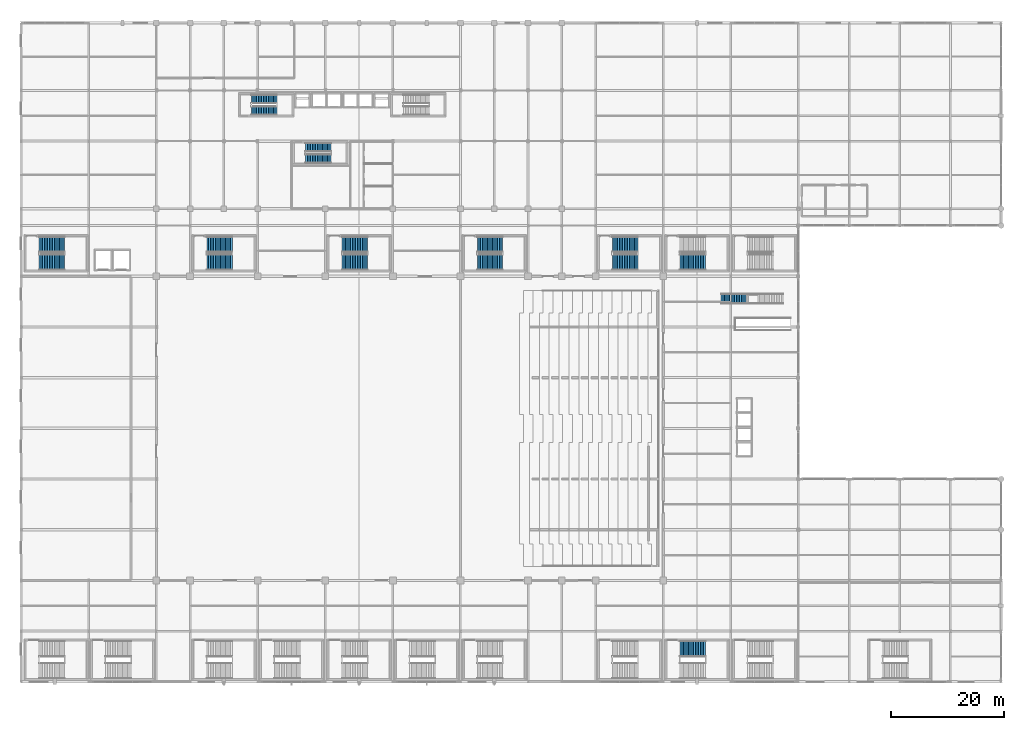
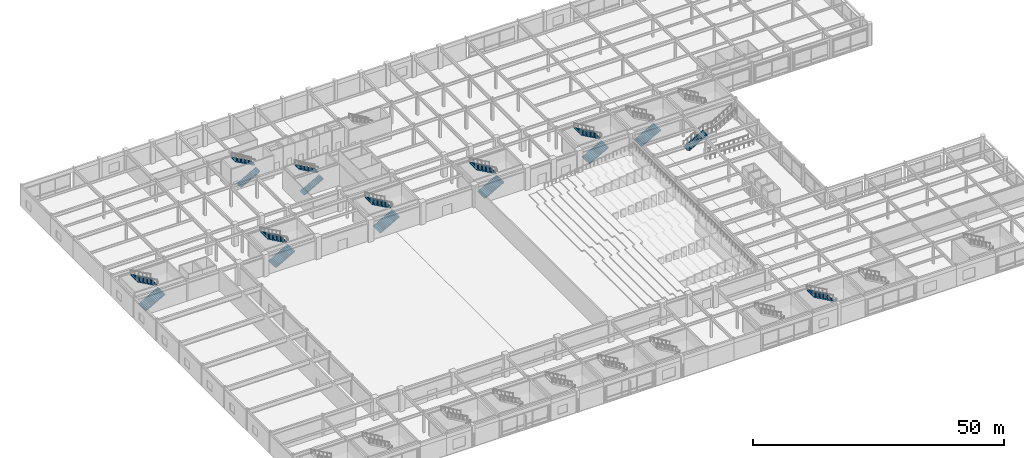
# One storey, part 90 of 100: 17 stair flights, 10 elements without a shape of their own.
"""IFC4 building model written with IfcOpenShell, lengths in metres."""

from ifc_helpers import new_model, si_unit, direction, frame, origin, place, context, subcontext, project, spatial, polyline, outline, extrude, material, type_object, element, aggregate, save


model = new_model("IFC4")

# Units and contexts
model_context = context("Model", 3, precision=1e-05, world=origin(), true_north=direction((0.0, 1.0)))
body_context = subcontext(model_context, "Body", "Model", "MODEL_VIEW")
ifc_project = project(units=[si_unit("LENGTHUNIT", "METRE"), si_unit("AREAUNIT", "SQUARE_METRE"), si_unit("VOLUMEUNIT", "CUBIC_METRE"), si_unit("PLANEANGLEUNIT", "RADIAN"), si_unit("MASSUNIT", "GRAM", prefix="KILO")], contexts=[model_context])

# Site, building, storey
site_placement = place(None, origin())
site = spatial("IfcSite", under=ifc_project, at=site_placement, CompositionType="ELEMENT")
building_placement = place(site_placement, origin())
building = spatial("IfcBuilding", under=site, at=building_placement, Name="Kaldorvane Square Convention Centre", CompositionType="ELEMENT")
storey_placement = place(building_placement, frame((0.0, 0.0, 18.0)))
storey = spatial("IfcBuildingStorey", under=building, at=storey_placement, Name="L03", CompositionType="ELEMENT", Elevation=18.0)

# Stair, stair flight
ifc_material_1 = material(Name="Steel ASTM A500 Gr. C", Category="steel")
stair_type_1 = type_object("IfcStairType", Name="ST-STR-1800-5400", PredefinedType="STRAIGHT_RUN_STAIR", material=ifc_material_1)
stair_1_placement = place(storey_placement, origin())
stair_1 = element("IfcStair", 1, at=stair_1_placement, inside=storey, type_object=stair_type_1, Name="East Foyer Grand Stair F4 (L03)", PredefinedType="STRAIGHT_RUN_STAIR")
stair_flight_type_1 = type_object("IfcStairFlightType", Name="SF-FEAT-1800-16R", PredefinedType="STRAIGHT", material=ifc_material_1)
stair_flight_1_placement = place(storey_placement, frame((124.27999877929688, 68.0, 0.0), z_axis=(0.0, 0.0, 1.0), x_axis=(1.0, 0.0, 0.0)))
stair_flight_1 = element("IfcStairFlight", 2, at=stair_flight_1_placement, type_object=stair_flight_type_1, Name="East Foyer Grand Stair F4 Lower Flight (L03)", NumberOfRisers=16, NumberOfTreads=15, PredefinedType="STRAIGHT", RiserHeight=0.16875, TreadLength=0.3, context=body_context, shape_type="SweptSolid", body=[
    extrude(outline(polyline([(0.0, 0.0), (0.0, 0.1687469482421875), (0.3000030517578125, 0.1687469482421875), (0.3000030517578125, 0.337493896484375), (0.600006103515625, 0.337493896484375), (0.600006103515625, 0.506256103515625), (0.899993896484375, 0.506256103515625), (0.899993896484375, 0.6750030517578125), (1.1999969482421875, 0.6750030517578125), (1.1999969482421875, 0.84375), (1.5, 0.84375), (1.5, 1.0124969482421875), (1.8000030517578125, 1.0124969482421875), (1.8000030517578125, 1.181243896484375), (2.100006103515625, 1.181243896484375), (2.100006103515625, 1.350006103515625), (2.399993896484375, 1.350006103515625), (2.399993896484375, 1.5187530517578125), (2.6999969482421875, 1.5187530517578125), (2.6999969482421875, 1.6875), (3.0, 1.6875), (3.0, 1.8562469482421875), (3.3000030517578125, 1.8562469482421875), (3.3000030517578125, 2.024993896484375), (3.600006103515625, 2.024993896484375), (3.600006103515625, 2.193756103515625), (3.899993896484375, 2.193756103515625), (3.899993896484375, 2.3625030517578125), (4.1999969482421875, 2.3625030517578125), (4.1999969482421875, 2.53125), (4.5, 2.53125), (4.5, 2.6999969482421875), (4.5, 2.301788330078125), (0.4079437255859375, 0.0), (0.0, 0.0)])), frame((0.0, 0.899993896484375, 0.0), z_axis=(0.0, -1.0, 0.0), x_axis=(1.0, 0.0, 0.0)), (0.0, 0.0, 1.0), 1.8000030517578125),
])
aggregate(stair_1, [stair_flight_1])

# Stair, stair flights
ifc_material_2 = material(Name="Concrete f'c = 42 MPa (Normalweight)", Category="concrete")
stair_type_2 = type_object("IfcStairType", Name="ST-DL-1600-5400", PredefinedType="HALF_TURN_STAIR", material=ifc_material_2)
stair_2_placement = place(storey_placement, origin())
stair_2 = element("IfcStair", 3, at=stair_2_placement, inside=storey, type_object=stair_type_2, Name="Tower Exit Stair T1 (L03)", PredefinedType="HALF_TURN_STAIR")
stair_flight_type_2 = type_object("IfcStairFlightType", Name="SF-STR-1600-16R", PredefinedType="STRAIGHT", material=ifc_material_2)
stair_flight_2_placement = place(storey_placement, frame((40.899993896484375, 101.41000366210938, 0.0), z_axis=(0.0, 0.0, 1.0), x_axis=(1.0, 0.0, 0.0)))
stair_flight_2 = element("IfcStairFlight", 4, at=stair_flight_2_placement, type_object=stair_flight_type_2, Name="Tower Exit Stair T1 Flight 1 (L03)", NumberOfRisers=16, NumberOfTreads=15, PredefinedType="STRAIGHT", RiserHeight=0.16875, TreadLength=0.3, context=body_context, shape_type="SweptSolid", body=[
    extrude(outline(polyline([(0.0, 0.0), (0.0, 0.1687469482421875), (0.3000030517578125, 0.1687469482421875), (0.3000030517578125, 0.337493896484375), (0.600006103515625, 0.337493896484375), (0.600006103515625, 0.506256103515625), (0.899993896484375, 0.506256103515625), (0.899993896484375, 0.6750030517578125), (1.1999969482421875, 0.6750030517578125), (1.1999969482421875, 0.84375), (1.5, 0.84375), (1.5, 1.0124969482421875), (1.8000030517578125, 1.0124969482421875), (1.8000030517578125, 1.181243896484375), (2.100006103515625, 1.181243896484375), (2.100006103515625, 1.350006103515625), (2.399993896484375, 1.350006103515625), (2.399993896484375, 1.5187530517578125), (2.6999969482421875, 1.5187530517578125), (2.6999969482421875, 1.6875), (3.0, 1.6875), (3.0, 1.8562469482421875), (3.3000030517578125, 1.8562469482421875), (3.3000030517578125, 2.024993896484375), (3.600006103515625, 2.024993896484375), (3.600006103515625, 2.193756103515625), (3.899993896484375, 2.193756103515625), (3.899993896484375, 2.3625030517578125), (4.1999969482421875, 2.3625030517578125), (4.1999969482421875, 2.53125), (4.5, 2.53125), (4.5, 2.6999969482421875), (4.5, 2.301788330078125), (0.4079437255859375, 0.0), (0.0, 0.0)])), frame((0.0, 0.8000030517578125, 0.0), z_axis=(0.0, -1.0, 0.0), x_axis=(1.0, 0.0, 0.0)), (0.0, 0.0, 1.0), 1.600006103515625),
])
stair_flight_3_placement = place(storey_placement, frame((45.399993896484375, 103.44999694824219, 2.6999969482421875), z_axis=(0.0, 0.0, 1.0), x_axis=(-1.0, 0.0, 0.0)))
stair_flight_3 = element("IfcStairFlight", 5, at=stair_flight_3_placement, type_object=stair_flight_type_2, Name="Tower Exit Stair T1 Flight 2 (L03)", NumberOfRisers=16, NumberOfTreads=15, PredefinedType="STRAIGHT", RiserHeight=0.16875, TreadLength=0.3, context=body_context, shape_type="SweptSolid", body=[
    extrude(outline(polyline([(0.0, 0.0), (0.0, 0.1687469482421875), (0.3000030517578125, 0.1687469482421875), (0.3000030517578125, 0.337493896484375), (0.600006103515625, 0.337493896484375), (0.600006103515625, 0.506256103515625), (0.899993896484375, 0.506256103515625), (0.899993896484375, 0.6750030517578125), (1.1999969482421875, 0.6750030517578125), (1.1999969482421875, 0.84375), (1.5, 0.84375), (1.5, 1.0124969482421875), (1.8000030517578125, 1.0124969482421875), (1.8000030517578125, 1.181243896484375), (2.100006103515625, 1.181243896484375), (2.100006103515625, 1.350006103515625), (2.399993896484375, 1.350006103515625), (2.399993896484375, 1.5187530517578125), (2.6999969482421875, 1.5187530517578125), (2.6999969482421875, 1.6875), (3.0, 1.6875), (3.0, 1.8562469482421875), (3.3000030517578125, 1.8562469482421875), (3.3000030517578125, 2.024993896484375), (3.600006103515625, 2.024993896484375), (3.600006103515625, 2.193756103515625), (3.899993896484375, 2.193756103515625), (3.899993896484375, 2.3625030517578125), (4.1999969482421875, 2.3625030517578125), (4.1999969482421875, 2.53125), (4.5, 2.53125), (4.5, 2.6999969482421875), (4.5, 2.301788330078125), (0.4079437255859375, 0.0), (0.0, 0.0)])), frame((0.0, 0.8000030517578125, 0.0), z_axis=(0.0, -1.0, 0.0), x_axis=(1.0, 0.0, 0.0)), (0.0, 0.0, 1.0), 1.600006103515625),
])
aggregate(stair_2, [stair_flight_2, stair_flight_3])

stair_3_placement = place(storey_placement, origin())
stair_3 = element("IfcStair", 6, at=stair_3_placement, inside=storey, type_object=stair_type_2, Name="Tower Exit Stair T3 (L03)", PredefinedType="HALF_TURN_STAIR")
stair_flight_4_placement = place(storey_placement, frame((50.5, 92.86000061035156, 0.0), z_axis=(0.0, 0.0, 1.0), x_axis=(1.0, 0.0, 0.0)))
stair_flight_4 = element("IfcStairFlight", 7, at=stair_flight_4_placement, type_object=stair_flight_type_2, Name="Tower Exit Stair T3 Flight 1 (L03)", NumberOfRisers=16, NumberOfTreads=15, PredefinedType="STRAIGHT", RiserHeight=0.16875, TreadLength=0.3, context=body_context, shape_type="SweptSolid", body=[
    extrude(outline(polyline([(0.0, 0.0), (0.0, 0.1687469482421875), (0.3000030517578125, 0.1687469482421875), (0.3000030517578125, 0.337493896484375), (0.600006103515625, 0.337493896484375), (0.600006103515625, 0.506256103515625), (0.899993896484375, 0.506256103515625), (0.899993896484375, 0.6750030517578125), (1.1999969482421875, 0.6750030517578125), (1.1999969482421875, 0.84375), (1.5, 0.84375), (1.5, 1.0124969482421875), (1.8000030517578125, 1.0124969482421875), (1.8000030517578125, 1.181243896484375), (2.100006103515625, 1.181243896484375), (2.100006103515625, 1.350006103515625), (2.399993896484375, 1.350006103515625), (2.399993896484375, 1.5187530517578125), (2.6999969482421875, 1.5187530517578125), (2.6999969482421875, 1.6875), (3.0, 1.6875), (3.0, 1.8562469482421875), (3.3000030517578125, 1.8562469482421875), (3.3000030517578125, 2.024993896484375), (3.600006103515625, 2.024993896484375), (3.600006103515625, 2.193756103515625), (3.899993896484375, 2.193756103515625), (3.899993896484375, 2.3625030517578125), (4.1999969482421875, 2.3625030517578125), (4.1999969482421875, 2.53125), (4.5, 2.53125), (4.5, 2.6999969482421875), (4.5, 2.301788330078125), (0.4079437255859375, 0.0), (0.0, 0.0)])), frame((0.0, 0.8000030517578125, 0.0), z_axis=(0.0, -1.0, 0.0), x_axis=(1.0, 0.0, 0.0)), (0.0, 0.0, 1.0), 1.600006103515625),
])
stair_flight_5_placement = place(storey_placement, frame((55.0, 94.89999389648438, 2.6999969482421875), z_axis=(0.0, 0.0, 1.0), x_axis=(-1.0, 0.0, 0.0)))
stair_flight_5 = element("IfcStairFlight", 8, at=stair_flight_5_placement, type_object=stair_flight_type_2, Name="Tower Exit Stair T3 Flight 2 (L03)", NumberOfRisers=16, NumberOfTreads=15, PredefinedType="STRAIGHT", RiserHeight=0.16875, TreadLength=0.3, context=body_context, shape_type="SweptSolid", body=[
    extrude(outline(polyline([(0.0, 0.0), (0.0, 0.1687469482421875), (0.3000030517578125, 0.1687469482421875), (0.3000030517578125, 0.337493896484375), (0.600006103515625, 0.337493896484375), (0.600006103515625, 0.506256103515625), (0.899993896484375, 0.506256103515625), (0.899993896484375, 0.6750030517578125), (1.1999969482421875, 0.6750030517578125), (1.1999969482421875, 0.84375), (1.5, 0.84375), (1.5, 1.0124969482421875), (1.8000030517578125, 1.0124969482421875), (1.8000030517578125, 1.181243896484375), (2.100006103515625, 1.181243896484375), (2.100006103515625, 1.350006103515625), (2.399993896484375, 1.350006103515625), (2.399993896484375, 1.5187530517578125), (2.6999969482421875, 1.5187530517578125), (2.6999969482421875, 1.6875), (3.0, 1.6875), (3.0, 1.8562469482421875), (3.3000030517578125, 1.8562469482421875), (3.3000030517578125, 2.024993896484375), (3.600006103515625, 2.024993896484375), (3.600006103515625, 2.193756103515625), (3.899993896484375, 2.193756103515625), (3.899993896484375, 2.3625030517578125), (4.1999969482421875, 2.3625030517578125), (4.1999969482421875, 2.53125), (4.5, 2.53125), (4.5, 2.6999969482421875), (4.5, 2.301788330078125), (0.4079437255859375, 0.0), (0.0, 0.0)])), frame((0.0, 0.8000030517578125, 0.0), z_axis=(0.0, -1.0, 0.0), x_axis=(1.0, 0.0, 0.0)), (0.0, 0.0, 1.0), 1.600006103515625),
])
aggregate(stair_3, [stair_flight_4, stair_flight_5])

# Stair, stair flight
stair_type_3 = type_object("IfcStairType", Name="ST-DL-2800-5400-D6710", PredefinedType="HALF_TURN_STAIR", material=ifc_material_2)
stair_4_placement = place(storey_placement, origin())
stair_4 = element("IfcStair", 9, at=stair_4_placement, inside=storey, type_object=stair_type_3, Name="Convention Exit Stair C9 (L03)", PredefinedType="HALF_TURN_STAIR")
stair_flight_type_3 = type_object("IfcStairFlightType", Name="SF-STR-2800-16R", PredefinedType="STRAIGHT", material=ifc_material_2)
stair_flight_6_placement = place(storey_placement, frame((121.49000549316406, 5.8600006103515625, 2.6999969482421875), z_axis=(0.0, 0.0, 1.0), x_axis=(-1.0, 0.0, 0.0)))
stair_flight_6 = element("IfcStairFlight", 10, at=stair_flight_6_placement, type_object=stair_flight_type_3, Name="Convention Exit Stair C9 Flight 2 (L03)", NumberOfRisers=16, NumberOfTreads=15, PredefinedType="STRAIGHT", RiserHeight=0.16875, TreadLength=0.3, context=body_context, shape_type="SweptSolid", body=[
    extrude(outline(polyline([(0.0, 0.0), (0.0, 0.1687469482421875), (0.3000030517578125, 0.1687469482421875), (0.3000030517578125, 0.337493896484375), (0.600006103515625, 0.337493896484375), (0.600006103515625, 0.506256103515625), (0.899993896484375, 0.506256103515625), (0.899993896484375, 0.6750030517578125), (1.1999969482421875, 0.6750030517578125), (1.1999969482421875, 0.84375), (1.5, 0.84375), (1.5, 1.0124969482421875), (1.8000030517578125, 1.0124969482421875), (1.8000030517578125, 1.181243896484375), (2.100006103515625, 1.181243896484375), (2.100006103515625, 1.350006103515625), (2.399993896484375, 1.350006103515625), (2.399993896484375, 1.5187530517578125), (2.6999969482421875, 1.5187530517578125), (2.6999969482421875, 1.6875), (3.0, 1.6875), (3.0, 1.8562469482421875), (3.3000030517578125, 1.8562469482421875), (3.3000030517578125, 2.024993896484375), (3.600006103515625, 2.024993896484375), (3.600006103515625, 2.193756103515625), (3.899993896484375, 2.193756103515625), (3.899993896484375, 2.3625030517578125), (4.1999969482421875, 2.3625030517578125), (4.1999969482421875, 2.53125), (4.5, 2.53125), (4.5, 2.6999969482421875), (4.5, 2.301788330078125), (0.4079437255859375, 0.0), (0.0, 0.0)])), frame((0.0, 1.399993896484375, 0.0), z_axis=(0.0, -1.0, 0.0), x_axis=(1.0, 0.0, 0.0)), (0.0, 0.0, 1.0), 2.8000030517578125),
])
aggregate(stair_4, [stair_flight_6])

# Stair, stair flights
stair_type_4 = type_object("IfcStairType", Name="ST-DL-2800-5400", PredefinedType="HALF_TURN_STAIR", material=ifc_material_2)
stair_5_placement = place(storey_placement, origin())
stair_5 = element("IfcStair", 11, at=stair_5_placement, inside=storey, type_object=stair_type_4, Name="Convention Exit Stair C12 (L03)", PredefinedType="HALF_TURN_STAIR")
stair_flight_7_placement = place(storey_placement, frame((3.2100067138671875, 74.5, 0.0), z_axis=(0.0, 0.0, 1.0), x_axis=(1.0, 0.0, 0.0)))
stair_flight_7 = element("IfcStairFlight", 12, at=stair_flight_7_placement, type_object=stair_flight_type_3, Name="Convention Exit Stair C12 Flight 1 (L03)", NumberOfRisers=16, NumberOfTreads=15, PredefinedType="STRAIGHT", RiserHeight=0.16875, TreadLength=0.3, context=body_context, shape_type="SweptSolid", body=[
    extrude(outline(polyline([(0.0, 0.0), (0.0, 0.1687469482421875), (0.3000030517578125, 0.1687469482421875), (0.3000030517578125, 0.337493896484375), (0.600006103515625, 0.337493896484375), (0.600006103515625, 0.506256103515625), (0.899993896484375, 0.506256103515625), (0.899993896484375, 0.6750030517578125), (1.1999969482421875, 0.6750030517578125), (1.1999969482421875, 0.84375), (1.5, 0.84375), (1.5, 1.0124969482421875), (1.8000030517578125, 1.0124969482421875), (1.8000030517578125, 1.181243896484375), (2.100006103515625, 1.181243896484375), (2.100006103515625, 1.350006103515625), (2.399993896484375, 1.350006103515625), (2.399993896484375, 1.5187530517578125), (2.6999969482421875, 1.5187530517578125), (2.6999969482421875, 1.6875), (3.0, 1.6875), (3.0, 1.8562469482421875), (3.3000030517578125, 1.8562469482421875), (3.3000030517578125, 2.024993896484375), (3.600006103515625, 2.024993896484375), (3.600006103515625, 2.193756103515625), (3.899993896484375, 2.193756103515625), (3.899993896484375, 2.3625030517578125), (4.1999969482421875, 2.3625030517578125), (4.1999969482421875, 2.53125), (4.5, 2.53125), (4.5, 2.6999969482421875), (4.5, 2.301788330078125), (0.4079437255859375, 0.0), (0.0, 0.0)])), frame((0.0, 1.399993896484375, 0.0), z_axis=(0.0, -1.0, 0.0), x_axis=(1.0, 0.0, 0.0)), (0.0, 0.0, 1.0), 2.8000030517578125),
])
stair_flight_8_placement = place(storey_placement, frame((7.7100067138671875, 77.66000366210938, 2.6999969482421875), z_axis=(0.0, 0.0, 1.0), x_axis=(-1.0, 0.0, 0.0)))
stair_flight_8 = element("IfcStairFlight", 13, at=stair_flight_8_placement, type_object=stair_flight_type_3, Name="Convention Exit Stair C12 Flight 2 (L03)", NumberOfRisers=16, NumberOfTreads=15, PredefinedType="STRAIGHT", RiserHeight=0.16875, TreadLength=0.3, context=body_context, shape_type="SweptSolid", body=[
    extrude(outline(polyline([(0.0, 0.0), (0.0, 0.1687469482421875), (0.3000030517578125, 0.1687469482421875), (0.3000030517578125, 0.337493896484375), (0.600006103515625, 0.337493896484375), (0.600006103515625, 0.506256103515625), (0.899993896484375, 0.506256103515625), (0.899993896484375, 0.6750030517578125), (1.1999969482421875, 0.6750030517578125), (1.1999969482421875, 0.84375), (1.5, 0.84375), (1.5, 1.0124969482421875), (1.8000030517578125, 1.0124969482421875), (1.8000030517578125, 1.181243896484375), (2.100006103515625, 1.181243896484375), (2.100006103515625, 1.350006103515625), (2.399993896484375, 1.350006103515625), (2.399993896484375, 1.5187530517578125), (2.6999969482421875, 1.5187530517578125), (2.6999969482421875, 1.6875), (3.0, 1.6875), (3.0, 1.8562469482421875), (3.3000030517578125, 1.8562469482421875), (3.3000030517578125, 2.024993896484375), (3.600006103515625, 2.024993896484375), (3.600006103515625, 2.193756103515625), (3.899993896484375, 2.193756103515625), (3.899993896484375, 2.3625030517578125), (4.1999969482421875, 2.3625030517578125), (4.1999969482421875, 2.53125), (4.5, 2.53125), (4.5, 2.6999969482421875), (4.5, 2.301788330078125), (0.4079437255859375, 0.0), (0.0, 0.0)])), frame((0.0, 1.399993896484375, 0.0), z_axis=(0.0, -1.0, 0.0), x_axis=(1.0, 0.0, 0.0)), (0.0, 0.0, 1.0), 2.8000030517578125),
])
aggregate(stair_5, [stair_flight_7, stair_flight_8])

stair_6_placement = place(storey_placement, origin())
stair_6 = element("IfcStair", 14, at=stair_6_placement, inside=storey, type_object=stair_type_4, Name="Convention Exit Stair C13 (L03)", PredefinedType="HALF_TURN_STAIR")
stair_flight_9_placement = place(storey_placement, frame((32.99000549316406, 74.5, 0.0), z_axis=(0.0, 0.0, 1.0), x_axis=(1.0, 0.0, 0.0)))
stair_flight_9 = element("IfcStairFlight", 15, at=stair_flight_9_placement, type_object=stair_flight_type_3, Name="Convention Exit Stair C13 Flight 1 (L03)", NumberOfRisers=16, NumberOfTreads=15, PredefinedType="STRAIGHT", RiserHeight=0.16875, TreadLength=0.3, context=body_context, shape_type="SweptSolid", body=[
    extrude(outline(polyline([(0.0, 0.0), (0.0, 0.1687469482421875), (0.3000030517578125, 0.1687469482421875), (0.3000030517578125, 0.337493896484375), (0.600006103515625, 0.337493896484375), (0.600006103515625, 0.506256103515625), (0.899993896484375, 0.506256103515625), (0.899993896484375, 0.6750030517578125), (1.1999969482421875, 0.6750030517578125), (1.1999969482421875, 0.84375), (1.5, 0.84375), (1.5, 1.0124969482421875), (1.8000030517578125, 1.0124969482421875), (1.8000030517578125, 1.181243896484375), (2.100006103515625, 1.181243896484375), (2.100006103515625, 1.350006103515625), (2.399993896484375, 1.350006103515625), (2.399993896484375, 1.5187530517578125), (2.6999969482421875, 1.5187530517578125), (2.6999969482421875, 1.6875), (3.0, 1.6875), (3.0, 1.8562469482421875), (3.3000030517578125, 1.8562469482421875), (3.3000030517578125, 2.024993896484375), (3.600006103515625, 2.024993896484375), (3.600006103515625, 2.193756103515625), (3.899993896484375, 2.193756103515625), (3.899993896484375, 2.3625030517578125), (4.1999969482421875, 2.3625030517578125), (4.1999969482421875, 2.53125), (4.5, 2.53125), (4.5, 2.6999969482421875), (4.5, 2.301788330078125), (0.4079437255859375, 0.0), (0.0, 0.0)])), frame((0.0, 1.399993896484375, 0.0), z_axis=(0.0, -1.0, 0.0), x_axis=(1.0, 0.0, 0.0)), (0.0, 0.0, 1.0), 2.8000030517578125),
])
stair_flight_10_placement = place(storey_placement, frame((37.49000549316406, 77.66000366210938, 2.6999969482421875), z_axis=(0.0, 0.0, 1.0), x_axis=(-1.0, 0.0, 0.0)))
stair_flight_10 = element("IfcStairFlight", 16, at=stair_flight_10_placement, type_object=stair_flight_type_3, Name="Convention Exit Stair C13 Flight 2 (L03)", NumberOfRisers=16, NumberOfTreads=15, PredefinedType="STRAIGHT", RiserHeight=0.16875, TreadLength=0.3, context=body_context, shape_type="SweptSolid", body=[
    extrude(outline(polyline([(0.0, 0.0), (0.0, 0.1687469482421875), (0.3000030517578125, 0.1687469482421875), (0.3000030517578125, 0.337493896484375), (0.600006103515625, 0.337493896484375), (0.600006103515625, 0.506256103515625), (0.899993896484375, 0.506256103515625), (0.899993896484375, 0.6750030517578125), (1.1999969482421875, 0.6750030517578125), (1.1999969482421875, 0.84375), (1.5, 0.84375), (1.5, 1.0124969482421875), (1.8000030517578125, 1.0124969482421875), (1.8000030517578125, 1.181243896484375), (2.100006103515625, 1.181243896484375), (2.100006103515625, 1.350006103515625), (2.399993896484375, 1.350006103515625), (2.399993896484375, 1.5187530517578125), (2.6999969482421875, 1.5187530517578125), (2.6999969482421875, 1.6875), (3.0, 1.6875), (3.0, 1.8562469482421875), (3.3000030517578125, 1.8562469482421875), (3.3000030517578125, 2.024993896484375), (3.600006103515625, 2.024993896484375), (3.600006103515625, 2.193756103515625), (3.899993896484375, 2.193756103515625), (3.899993896484375, 2.3625030517578125), (4.1999969482421875, 2.3625030517578125), (4.1999969482421875, 2.53125), (4.5, 2.53125), (4.5, 2.6999969482421875), (4.5, 2.301788330078125), (0.4079437255859375, 0.0), (0.0, 0.0)])), frame((0.0, 1.399993896484375, 0.0), z_axis=(0.0, -1.0, 0.0), x_axis=(1.0, 0.0, 0.0)), (0.0, 0.0, 1.0), 2.8000030517578125),
])
aggregate(stair_6, [stair_flight_9, stair_flight_10])

stair_7_placement = place(storey_placement, origin())
stair_7 = element("IfcStair", 17, at=stair_7_placement, inside=storey, type_object=stair_type_4, Name="Convention Exit Stair C14 (L03)", PredefinedType="HALF_TURN_STAIR")
stair_flight_11_placement = place(storey_placement, frame((56.99000549316406, 74.5, 0.0), z_axis=(0.0, 0.0, 1.0), x_axis=(1.0, 0.0, 0.0)))
stair_flight_11 = element("IfcStairFlight", 18, at=stair_flight_11_placement, type_object=stair_flight_type_3, Name="Convention Exit Stair C14 Flight 1 (L03)", NumberOfRisers=16, NumberOfTreads=15, PredefinedType="STRAIGHT", RiserHeight=0.16875, TreadLength=0.3, context=body_context, shape_type="SweptSolid", body=[
    extrude(outline(polyline([(0.0, 0.0), (0.0, 0.1687469482421875), (0.3000030517578125, 0.1687469482421875), (0.3000030517578125, 0.337493896484375), (0.600006103515625, 0.337493896484375), (0.600006103515625, 0.506256103515625), (0.899993896484375, 0.506256103515625), (0.899993896484375, 0.6750030517578125), (1.1999969482421875, 0.6750030517578125), (1.1999969482421875, 0.84375), (1.5, 0.84375), (1.5, 1.0124969482421875), (1.8000030517578125, 1.0124969482421875), (1.8000030517578125, 1.181243896484375), (2.100006103515625, 1.181243896484375), (2.100006103515625, 1.350006103515625), (2.399993896484375, 1.350006103515625), (2.399993896484375, 1.5187530517578125), (2.6999969482421875, 1.5187530517578125), (2.6999969482421875, 1.6875), (3.0, 1.6875), (3.0, 1.8562469482421875), (3.3000030517578125, 1.8562469482421875), (3.3000030517578125, 2.024993896484375), (3.600006103515625, 2.024993896484375), (3.600006103515625, 2.193756103515625), (3.899993896484375, 2.193756103515625), (3.899993896484375, 2.3625030517578125), (4.1999969482421875, 2.3625030517578125), (4.1999969482421875, 2.53125), (4.5, 2.53125), (4.5, 2.6999969482421875), (4.5, 2.301788330078125), (0.4079437255859375, 0.0), (0.0, 0.0)])), frame((0.0, 1.399993896484375, 0.0), z_axis=(0.0, -1.0, 0.0), x_axis=(1.0, 0.0, 0.0)), (0.0, 0.0, 1.0), 2.8000030517578125),
])
stair_flight_12_placement = place(storey_placement, frame((61.49000549316406, 77.66000366210938, 2.6999969482421875), z_axis=(0.0, 0.0, 1.0), x_axis=(-1.0, 0.0, 0.0)))
stair_flight_12 = element("IfcStairFlight", 19, at=stair_flight_12_placement, type_object=stair_flight_type_3, Name="Convention Exit Stair C14 Flight 2 (L03)", NumberOfRisers=16, NumberOfTreads=15, PredefinedType="STRAIGHT", RiserHeight=0.16875, TreadLength=0.3, context=body_context, shape_type="SweptSolid", body=[
    extrude(outline(polyline([(0.0, 0.0), (0.0, 0.1687469482421875), (0.3000030517578125, 0.1687469482421875), (0.3000030517578125, 0.337493896484375), (0.600006103515625, 0.337493896484375), (0.600006103515625, 0.506256103515625), (0.899993896484375, 0.506256103515625), (0.899993896484375, 0.6750030517578125), (1.1999969482421875, 0.6750030517578125), (1.1999969482421875, 0.84375), (1.5, 0.84375), (1.5, 1.0124969482421875), (1.8000030517578125, 1.0124969482421875), (1.8000030517578125, 1.181243896484375), (2.100006103515625, 1.181243896484375), (2.100006103515625, 1.350006103515625), (2.399993896484375, 1.350006103515625), (2.399993896484375, 1.5187530517578125), (2.6999969482421875, 1.5187530517578125), (2.6999969482421875, 1.6875), (3.0, 1.6875), (3.0, 1.8562469482421875), (3.3000030517578125, 1.8562469482421875), (3.3000030517578125, 2.024993896484375), (3.600006103515625, 2.024993896484375), (3.600006103515625, 2.193756103515625), (3.899993896484375, 2.193756103515625), (3.899993896484375, 2.3625030517578125), (4.1999969482421875, 2.3625030517578125), (4.1999969482421875, 2.53125), (4.5, 2.53125), (4.5, 2.6999969482421875), (4.5, 2.301788330078125), (0.4079437255859375, 0.0), (0.0, 0.0)])), frame((0.0, 1.399993896484375, 0.0), z_axis=(0.0, -1.0, 0.0), x_axis=(1.0, 0.0, 0.0)), (0.0, 0.0, 1.0), 2.8000030517578125),
])
aggregate(stair_7, [stair_flight_11, stair_flight_12])

stair_8_placement = place(storey_placement, origin())
stair_8 = element("IfcStair", 20, at=stair_8_placement, inside=storey, type_object=stair_type_4, Name="Convention Exit Stair C15 (L03)", PredefinedType="HALF_TURN_STAIR")
stair_flight_13_placement = place(storey_placement, frame((80.99000549316406, 74.5, 0.0), z_axis=(0.0, 0.0, 1.0), x_axis=(1.0, 0.0, 0.0)))
stair_flight_13 = element("IfcStairFlight", 21, at=stair_flight_13_placement, type_object=stair_flight_type_3, Name="Convention Exit Stair C15 Flight 1 (L03)", NumberOfRisers=16, NumberOfTreads=15, PredefinedType="STRAIGHT", RiserHeight=0.16875, TreadLength=0.3, context=body_context, shape_type="SweptSolid", body=[
    extrude(outline(polyline([(0.0, 0.0), (0.0, 0.1687469482421875), (0.3000030517578125, 0.1687469482421875), (0.3000030517578125, 0.337493896484375), (0.600006103515625, 0.337493896484375), (0.600006103515625, 0.506256103515625), (0.899993896484375, 0.506256103515625), (0.899993896484375, 0.6750030517578125), (1.1999969482421875, 0.6750030517578125), (1.1999969482421875, 0.84375), (1.5, 0.84375), (1.5, 1.0124969482421875), (1.8000030517578125, 1.0124969482421875), (1.8000030517578125, 1.181243896484375), (2.100006103515625, 1.181243896484375), (2.100006103515625, 1.350006103515625), (2.399993896484375, 1.350006103515625), (2.399993896484375, 1.5187530517578125), (2.6999969482421875, 1.5187530517578125), (2.6999969482421875, 1.6875), (3.0, 1.6875), (3.0, 1.8562469482421875), (3.3000030517578125, 1.8562469482421875), (3.3000030517578125, 2.024993896484375), (3.600006103515625, 2.024993896484375), (3.600006103515625, 2.193756103515625), (3.899993896484375, 2.193756103515625), (3.899993896484375, 2.3625030517578125), (4.1999969482421875, 2.3625030517578125), (4.1999969482421875, 2.53125), (4.5, 2.53125), (4.5, 2.6999969482421875), (4.5, 2.301788330078125), (0.4079437255859375, 0.0), (0.0, 0.0)])), frame((0.0, 1.399993896484375, 0.0), z_axis=(0.0, -1.0, 0.0), x_axis=(1.0, 0.0, 0.0)), (0.0, 0.0, 1.0), 2.8000030517578125),
])
stair_flight_14_placement = place(storey_placement, frame((85.49000549316406, 77.66000366210938, 2.6999969482421875), z_axis=(0.0, 0.0, 1.0), x_axis=(-1.0, 0.0, 0.0)))
stair_flight_14 = element("IfcStairFlight", 22, at=stair_flight_14_placement, type_object=stair_flight_type_3, Name="Convention Exit Stair C15 Flight 2 (L03)", NumberOfRisers=16, NumberOfTreads=15, PredefinedType="STRAIGHT", RiserHeight=0.16875, TreadLength=0.3, context=body_context, shape_type="SweptSolid", body=[
    extrude(outline(polyline([(0.0, 0.0), (0.0, 0.1687469482421875), (0.3000030517578125, 0.1687469482421875), (0.3000030517578125, 0.337493896484375), (0.600006103515625, 0.337493896484375), (0.600006103515625, 0.506256103515625), (0.899993896484375, 0.506256103515625), (0.899993896484375, 0.6750030517578125), (1.1999969482421875, 0.6750030517578125), (1.1999969482421875, 0.84375), (1.5, 0.84375), (1.5, 1.0124969482421875), (1.8000030517578125, 1.0124969482421875), (1.8000030517578125, 1.181243896484375), (2.100006103515625, 1.181243896484375), (2.100006103515625, 1.350006103515625), (2.399993896484375, 1.350006103515625), (2.399993896484375, 1.5187530517578125), (2.6999969482421875, 1.5187530517578125), (2.6999969482421875, 1.6875), (3.0, 1.6875), (3.0, 1.8562469482421875), (3.3000030517578125, 1.8562469482421875), (3.3000030517578125, 2.024993896484375), (3.600006103515625, 2.024993896484375), (3.600006103515625, 2.193756103515625), (3.899993896484375, 2.193756103515625), (3.899993896484375, 2.3625030517578125), (4.1999969482421875, 2.3625030517578125), (4.1999969482421875, 2.53125), (4.5, 2.53125), (4.5, 2.6999969482421875), (4.5, 2.301788330078125), (0.4079437255859375, 0.0), (0.0, 0.0)])), frame((0.0, 1.399993896484375, 0.0), z_axis=(0.0, -1.0, 0.0), x_axis=(1.0, 0.0, 0.0)), (0.0, 0.0, 1.0), 2.8000030517578125),
])
aggregate(stair_8, [stair_flight_13, stair_flight_14])

stair_9_placement = place(storey_placement, origin())
stair_9 = element("IfcStair", 23, at=stair_9_placement, inside=storey, type_object=stair_type_4, Name="Convention Exit Stair C16 (L03)", PredefinedType="HALF_TURN_STAIR")
stair_flight_15_placement = place(storey_placement, frame((104.99000549316406, 74.5, 0.0), z_axis=(0.0, 0.0, 1.0), x_axis=(1.0, 0.0, 0.0)))
stair_flight_15 = element("IfcStairFlight", 24, at=stair_flight_15_placement, type_object=stair_flight_type_3, Name="Convention Exit Stair C16 Flight 1 (L03)", NumberOfRisers=16, NumberOfTreads=15, PredefinedType="STRAIGHT", RiserHeight=0.16875, TreadLength=0.3, context=body_context, shape_type="SweptSolid", body=[
    extrude(outline(polyline([(0.0, 0.0), (0.0, 0.1687469482421875), (0.3000030517578125, 0.1687469482421875), (0.3000030517578125, 0.337493896484375), (0.600006103515625, 0.337493896484375), (0.600006103515625, 0.506256103515625), (0.899993896484375, 0.506256103515625), (0.899993896484375, 0.6750030517578125), (1.1999969482421875, 0.6750030517578125), (1.1999969482421875, 0.84375), (1.5, 0.84375), (1.5, 1.0124969482421875), (1.8000030517578125, 1.0124969482421875), (1.8000030517578125, 1.181243896484375), (2.100006103515625, 1.181243896484375), (2.100006103515625, 1.350006103515625), (2.399993896484375, 1.350006103515625), (2.399993896484375, 1.5187530517578125), (2.6999969482421875, 1.5187530517578125), (2.6999969482421875, 1.6875), (3.0, 1.6875), (3.0, 1.8562469482421875), (3.3000030517578125, 1.8562469482421875), (3.3000030517578125, 2.024993896484375), (3.600006103515625, 2.024993896484375), (3.600006103515625, 2.193756103515625), (3.899993896484375, 2.193756103515625), (3.899993896484375, 2.3625030517578125), (4.1999969482421875, 2.3625030517578125), (4.1999969482421875, 2.53125), (4.5, 2.53125), (4.5, 2.6999969482421875), (4.5, 2.301788330078125), (0.4079437255859375, 0.0), (0.0, 0.0)])), frame((0.0, 1.399993896484375, 0.0), z_axis=(0.0, -1.0, 0.0), x_axis=(1.0, 0.0, 0.0)), (0.0, 0.0, 1.0), 2.8000030517578125),
])
stair_flight_16_placement = place(storey_placement, frame((109.49000549316406, 77.66000366210938, 2.6999969482421875), z_axis=(0.0, 0.0, 1.0), x_axis=(-1.0, 0.0, 0.0)))
stair_flight_16 = element("IfcStairFlight", 25, at=stair_flight_16_placement, type_object=stair_flight_type_3, Name="Convention Exit Stair C16 Flight 2 (L03)", NumberOfRisers=16, NumberOfTreads=15, PredefinedType="STRAIGHT", RiserHeight=0.16875, TreadLength=0.3, context=body_context, shape_type="SweptSolid", body=[
    extrude(outline(polyline([(0.0, 0.0), (0.0, 0.1687469482421875), (0.3000030517578125, 0.1687469482421875), (0.3000030517578125, 0.337493896484375), (0.600006103515625, 0.337493896484375), (0.600006103515625, 0.506256103515625), (0.899993896484375, 0.506256103515625), (0.899993896484375, 0.6750030517578125), (1.1999969482421875, 0.6750030517578125), (1.1999969482421875, 0.84375), (1.5, 0.84375), (1.5, 1.0124969482421875), (1.8000030517578125, 1.0124969482421875), (1.8000030517578125, 1.181243896484375), (2.100006103515625, 1.181243896484375), (2.100006103515625, 1.350006103515625), (2.399993896484375, 1.350006103515625), (2.399993896484375, 1.5187530517578125), (2.6999969482421875, 1.5187530517578125), (2.6999969482421875, 1.6875), (3.0, 1.6875), (3.0, 1.8562469482421875), (3.3000030517578125, 1.8562469482421875), (3.3000030517578125, 2.024993896484375), (3.600006103515625, 2.024993896484375), (3.600006103515625, 2.193756103515625), (3.899993896484375, 2.193756103515625), (3.899993896484375, 2.3625030517578125), (4.1999969482421875, 2.3625030517578125), (4.1999969482421875, 2.53125), (4.5, 2.53125), (4.5, 2.6999969482421875), (4.5, 2.301788330078125), (0.4079437255859375, 0.0), (0.0, 0.0)])), frame((0.0, 1.399993896484375, 0.0), z_axis=(0.0, -1.0, 0.0), x_axis=(1.0, 0.0, 0.0)), (0.0, 0.0, 1.0), 2.8000030517578125),
])
aggregate(stair_9, [stair_flight_15, stair_flight_16])

# Stair, stair flight
stair_10_placement = place(storey_placement, origin())
stair_10 = element("IfcStair", 26, at=stair_10_placement, inside=storey, type_object=stair_type_4, Name="Convention Exit Stair C17 (L03)", PredefinedType="HALF_TURN_STAIR")
stair_flight_17_placement = place(storey_placement, frame((116.99000549316406, 74.5, 0.0), z_axis=(0.0, 0.0, 1.0), x_axis=(1.0, 0.0, 0.0)))
stair_flight_17 = element("IfcStairFlight", 27, at=stair_flight_17_placement, type_object=stair_flight_type_3, Name="Convention Exit Stair C17 Flight 1 (L03)", NumberOfRisers=16, NumberOfTreads=15, PredefinedType="STRAIGHT", RiserHeight=0.16875, TreadLength=0.3, context=body_context, shape_type="SweptSolid", body=[
    extrude(outline(polyline([(0.0, 0.0), (0.0, 0.1687469482421875), (0.3000030517578125, 0.1687469482421875), (0.3000030517578125, 0.337493896484375), (0.600006103515625, 0.337493896484375), (0.600006103515625, 0.506256103515625), (0.899993896484375, 0.506256103515625), (0.899993896484375, 0.6750030517578125), (1.1999969482421875, 0.6750030517578125), (1.1999969482421875, 0.84375), (1.5, 0.84375), (1.5, 1.0124969482421875), (1.8000030517578125, 1.0124969482421875), (1.8000030517578125, 1.181243896484375), (2.100006103515625, 1.181243896484375), (2.100006103515625, 1.350006103515625), (2.399993896484375, 1.350006103515625), (2.399993896484375, 1.5187530517578125), (2.6999969482421875, 1.5187530517578125), (2.6999969482421875, 1.6875), (3.0, 1.6875), (3.0, 1.8562469482421875), (3.3000030517578125, 1.8562469482421875), (3.3000030517578125, 2.024993896484375), (3.600006103515625, 2.024993896484375), (3.600006103515625, 2.193756103515625), (3.899993896484375, 2.193756103515625), (3.899993896484375, 2.3625030517578125), (4.1999969482421875, 2.3625030517578125), (4.1999969482421875, 2.53125), (4.5, 2.53125), (4.5, 2.6999969482421875), (4.5, 2.301788330078125), (0.4079437255859375, 0.0), (0.0, 0.0)])), frame((0.0, 1.399993896484375, 0.0), z_axis=(0.0, -1.0, 0.0), x_axis=(1.0, 0.0, 0.0)), (0.0, 0.0, 1.0), 2.8000030517578125),
])
aggregate(stair_10, [stair_flight_17])

save(model, "model.ifc")
